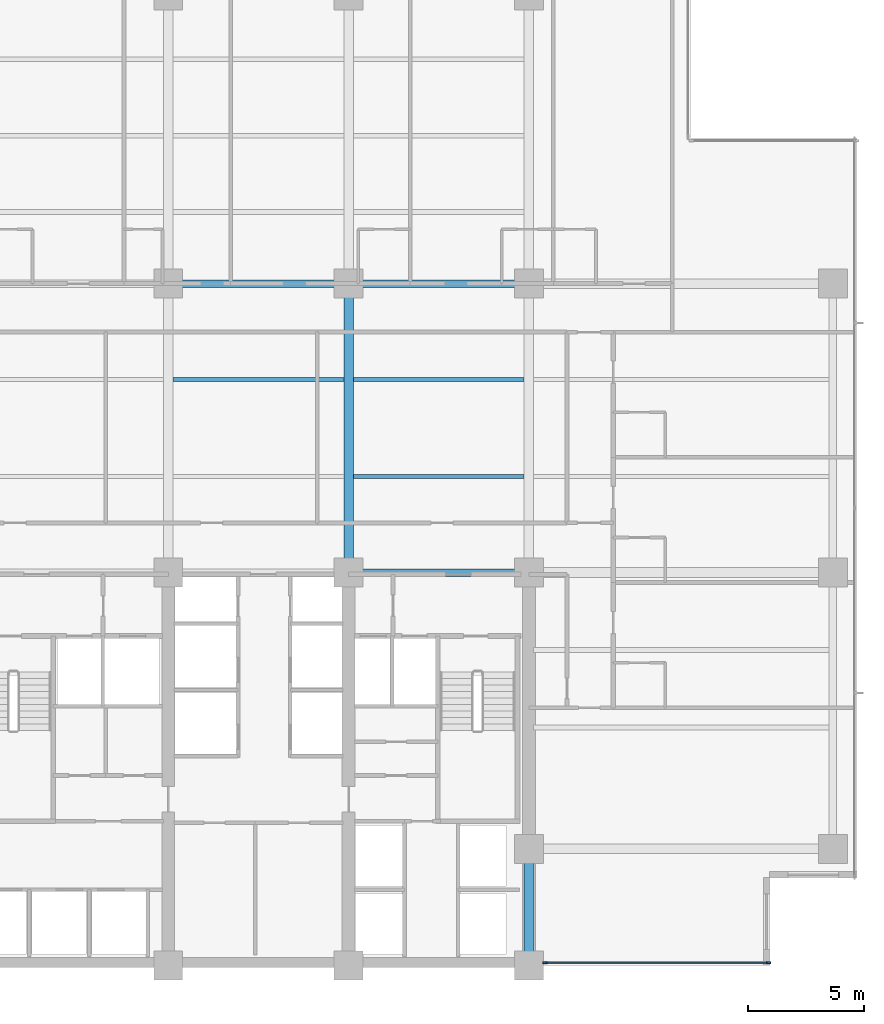
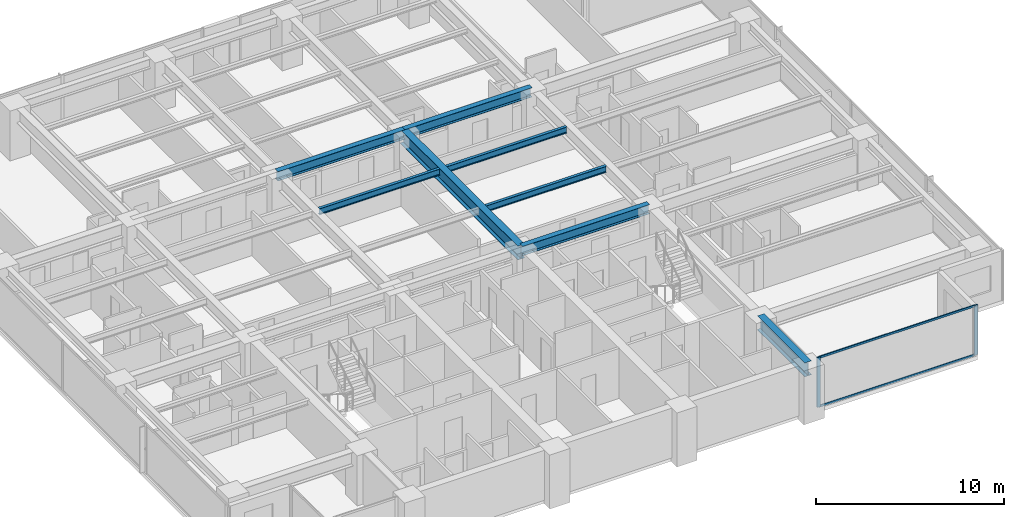
# One storey, part 3 of 17: 8 beams, 4 members, 1 element without a shape of its own.
"""IFC4 building model written with IfcOpenShell, lengths in metres."""

from ifc_helpers import new_model, si_unit, direction, frame, origin, origin_2d, place, context, subcontext, project, spatial, rectangle, i_section, extrude, material, layer, layer_set, material_profile, profile_set, type_object, element, aggregate, save


model = new_model("IFC4")

# Units and contexts
model_context = context("Model", 3, precision=1e-05, world=origin(), true_north=direction((0.0, 1.0)))
body_context = subcontext(model_context, "Body", "Model", "MODEL_VIEW")
ifc_project = project(units=[si_unit("LENGTHUNIT", "METRE"), si_unit("AREAUNIT", "SQUARE_METRE"), si_unit("VOLUMEUNIT", "CUBIC_METRE"), si_unit("PLANEANGLEUNIT", "RADIAN"), si_unit("MASSUNIT", "GRAM", prefix="KILO")], contexts=[model_context])

# Site, building, storey
site_placement = place(None, origin())
site = spatial("IfcSite", under=ifc_project, at=site_placement, CompositionType="ELEMENT")
building_placement = place(site_placement, origin())
building = spatial("IfcBuilding", under=site, at=building_placement, Name="Qalmaran Belvedere Hotel", CompositionType="ELEMENT")
storey_placement = place(building_placement, frame((0.0, 0.0, 109.199951171875)))
storey = spatial("IfcBuildingStorey", under=building, at=storey_placement, Name="L27", CompositionType="ELEMENT", Elevation=109.199951171875)

# Beams
ifc_material_1 = material(Name="Steel S355JR", Category="steel")
ifc_material_profile_1 = material_profile(ifc_material_1, i_section(OverallWidth=0.41796875, OverallDepth=0.912109375, WebThickness=0.019287109375, FlangeThickness=0.031982421875, FilletRadius=0.02392578125, at=origin_2d()), Name="W920X342")
ifc_profile_set_1 = profile_set([ifc_material_profile_1], Name="Steel S355JR")
beam_type_1 = type_object("IfcBeamType", Name="BM-PG2-W920X342", PredefinedType="USERDEFINED", material=ifc_profile_set_1)
beam_1_placement = place(storey_placement, frame((37.0, 20.5, 2.783935546875), z_axis=(0.0, 1.0, 0.0), x_axis=(-1.0, 0.0, 0.0)))
element("IfcBeam", 1, at=beam_1_placement, inside=storey, type_object=beam_type_1, Name="L27 Mid-Plate N-S Girder 18", ObjectType="GIRDER", PredefinedType="USERDEFINED", context=body_context, shape_type="SweptSolid", body=[
    extrude(i_section(OverallWidth=0.41796875, OverallDepth=0.912109375, WebThickness=0.019287109375, FlangeThickness=0.031982421875, FilletRadius=0.02392578125, at=origin_2d()), origin(), (0.0, 0.0, 1.0), 12.5),
])
beam_2_placement = place(storey_placement, frame((44.800048828125, 3.5, 2.783935546875), z_axis=(0.0, 1.0, 0.0), x_axis=(-1.0, 0.0, 0.0)))
element("IfcBeam", 2, at=beam_2_placement, inside=storey, type_object=beam_type_1, Name="L27 East Core Edge Girder A", ObjectType="GIRDER", PredefinedType="USERDEFINED", context=body_context, shape_type="SweptSolid", body=[
    extrude(i_section(OverallWidth=0.41796875, OverallDepth=0.912109375, WebThickness=0.019287109375, FlangeThickness=0.031982421875, FilletRadius=0.02392578125, at=origin_2d()), origin(), (0.0, 0.0, 1.0), 5.050048828125),
])
ifc_material_profile_2 = material_profile(ifc_material_1, i_section(OverallWidth=0.177978515625, OverallDepth=0.406982421875, WebThickness=0.0078125, FlangeThickness=0.0126953125, FilletRadius=0.014892578125, at=origin_2d()), Name="W410X60")
ifc_profile_set_2 = profile_set([ifc_material_profile_2], Name="Steel S355JR")
beam_type_2 = type_object("IfcBeamType", Name="BM-SB2-W410X60", PredefinedType="BEAM", material=ifc_profile_set_2)
for number, where, z_axis, x_axis, name in (
    (3, (37.20703125, 24.64990234375, 3.03662109375), (1.0, 0.0, 0.0), (0.0, 1.0, 0.0), "L27 Secondary Floor Beam 031"),
    (4, (29.406982421875, 28.85009765625, 3.03662109375), (1.0, 0.0, 0.0), (0.0, 1.0, 0.0), "L27 Secondary Floor Beam 035"),
    (5, (37.20703125, 28.85009765625, 3.03662109375), (1.0, 0.0, 0.0), (0.0, 1.0, 0.0), "L27 Secondary Floor Beam 036"),
):
    element("IfcBeam", number, at=place(storey_placement, frame(where, z_axis=z_axis, x_axis=x_axis)), inside=storey, type_object=beam_type_2, Name=name, PredefinedType="BEAM", context=body_context, shape_type="SweptSolid", body=[
        extrude(i_section(OverallWidth=0.177978515625, OverallDepth=0.406982421875, WebThickness=0.0078125, FlangeThickness=0.0126953125, FilletRadius=0.014892578125, at=origin_2d()), origin(), (0.0, 0.0, 1.0), 7.385986328125),
    ])
ifc_material_profile_3 = material_profile(ifc_material_1, i_section(OverallWidth=0.323974609375, OverallDepth=0.611083984375, WebThickness=0.0126953125, FlangeThickness=0.01904296875, FilletRadius=0.02001953125, at=origin_2d()), Name="W610X155")
ifc_profile_set_3 = profile_set([ifc_material_profile_3], Name="Steel S355JR")
beam_type_3 = type_object("IfcBeamType", Name="BM-Z2-W610X155", PredefinedType="USERDEFINED", material=ifc_profile_set_3)
for number, where, z_axis, x_axis, name in (
    (6, (37.0, 20.5, 2.9345703125), (1.0, 0.0, 0.0), (0.0, 1.0, 0.0), "L27 Interior E-W Girder 10"),
    (7, (29.199951171875, 33.0, 2.9345703125), (1.0, 0.0, 0.0), (0.0, 1.0, 0.0), "L27 Interior E-W Girder 12"),
    (8, (37.0, 33.0, 2.9345703125), (1.0, 0.0, 0.0), (0.0, 1.0, 0.0), "L27 Interior E-W Girder 13"),
):
    element("IfcBeam", number, at=place(storey_placement, frame(where, z_axis=z_axis, x_axis=x_axis)), inside=storey, type_object=beam_type_3, Name=name, ObjectType="GIRDER", PredefinedType="USERDEFINED", context=body_context, shape_type="SweptSolid", body=[
        extrude(i_section(OverallWidth=0.323974609375, OverallDepth=0.611083984375, WebThickness=0.0126953125, FlangeThickness=0.01904296875, FilletRadius=0.02001953125, at=origin_2d()), origin(), (0.0, 0.0, 1.0), 7.800048828125),
    ])

# Curtain wall, members
ifc_material_2 = material(Name="Anodised Bronze Aluminium", Category="aluminium")
ifc_layer = layer(ifc_material_2, 0.199951171875, Name="Anodised Bronze Aluminium")
ifc_layer_set = layer_set([ifc_layer], Name="Anodised Bronze Aluminium")
curtain_wall_type = type_object("IfcCurtainWallType", Name="CW3-TOWER-LOWMID", PredefinedType="NOTDEFINED", material=ifc_layer_set)
curtain_wall_placement = place(storey_placement, origin())
curtain_wall = element("IfcCurtainWall", 9, at=curtain_wall_placement, inside=storey, type_object=curtain_wall_type, Name="L27 Curtain Wall CW3", PredefinedType="NOTDEFINED")
ifc_material_profile_4 = material_profile(ifc_material_2, rectangle(XDim=0.070068359375, YDim=0.18994140625, at=origin_2d()), Name="CWM70X190")
ifc_profile_set_4 = profile_set([ifc_material_profile_4], Name="Anodised Bronze Aluminium")
member_type_1 = type_object("IfcMemberType", Name="CWM-70X190", PredefinedType="MULLION", material=ifc_profile_set_4)
member_1_placement = place(storey_placement, frame((45.5, 3.6201171875, 0.0), z_axis=(0.0, 0.0, 1.0), x_axis=(0.0, 1.0, 0.0)))
member_1 = element("IfcMember", 10, at=member_1_placement, type_object=member_type_1, Name="CW3 mullion 1", PredefinedType="MULLION", context=body_context, shape_type="SweptSolid", body=[
    extrude(rectangle(XDim=0.070068359375, YDim=0.18994140625, at=origin_2d()), origin(), (0.0, 0.0, 1.0), 3.239990234375),
])
member_2_placement = place(storey_placement, frame((55.1650390625, 3.6201171875, 0.0), z_axis=(0.0, 0.0, 1.0), x_axis=(0.0, 1.0, 0.0)))
member_2 = element("IfcMember", 11, at=member_2_placement, type_object=member_type_1, Name="CW3 mullion 2", PredefinedType="MULLION", context=body_context, shape_type="SweptSolid", body=[
    extrude(rectangle(XDim=0.070068359375, YDim=0.18994140625, at=origin_2d()), origin(), (0.0, 0.0, 1.0), 3.239990234375),
])
ifc_material_profile_5 = material_profile(ifc_material_2, rectangle(XDim=0.06494140625, YDim=0.1298828125, at=origin_2d()), Name="CWT65X130")
ifc_profile_set_5 = profile_set([ifc_material_profile_5], Name="Anodised Bronze Aluminium")
member_type_2 = type_object("IfcMemberType", Name="CWT-65X130", PredefinedType="USERDEFINED", material=ifc_profile_set_5)
member_3_placement = place(storey_placement, frame((45.534912109375, 3.6201171875, 0.032470703125), z_axis=(1.0, 0.0, 0.0), x_axis=(0.0, 1.0, 0.0)))
member_3 = element("IfcMember", 12, at=member_3_placement, type_object=member_type_2, Name="CW3 transom 1.1", ObjectType="TRANSOM", PredefinedType="USERDEFINED", context=body_context, shape_type="SweptSolid", body=[
    extrude(rectangle(XDim=0.06494140625, YDim=0.1298828125, at=origin_2d()), origin(), (0.0, 0.0, 1.0), 9.594970703125),
])
member_4_placement = place(storey_placement, frame((45.534912109375, 3.6201171875, 3.20751953125), z_axis=(1.0, 0.0, 0.0), x_axis=(0.0, 1.0, 0.0)))
member_4 = element("IfcMember", 13, at=member_4_placement, type_object=member_type_2, Name="CW3 transom 1.2", ObjectType="TRANSOM", PredefinedType="USERDEFINED", context=body_context, shape_type="SweptSolid", body=[
    extrude(rectangle(XDim=0.06494140625, YDim=0.1298828125, at=origin_2d()), origin(), (0.0, 0.0, 1.0), 9.594970703125),
])
aggregate(curtain_wall, [member_1, member_2, member_3, member_4])

save(model, "model.ifc")
